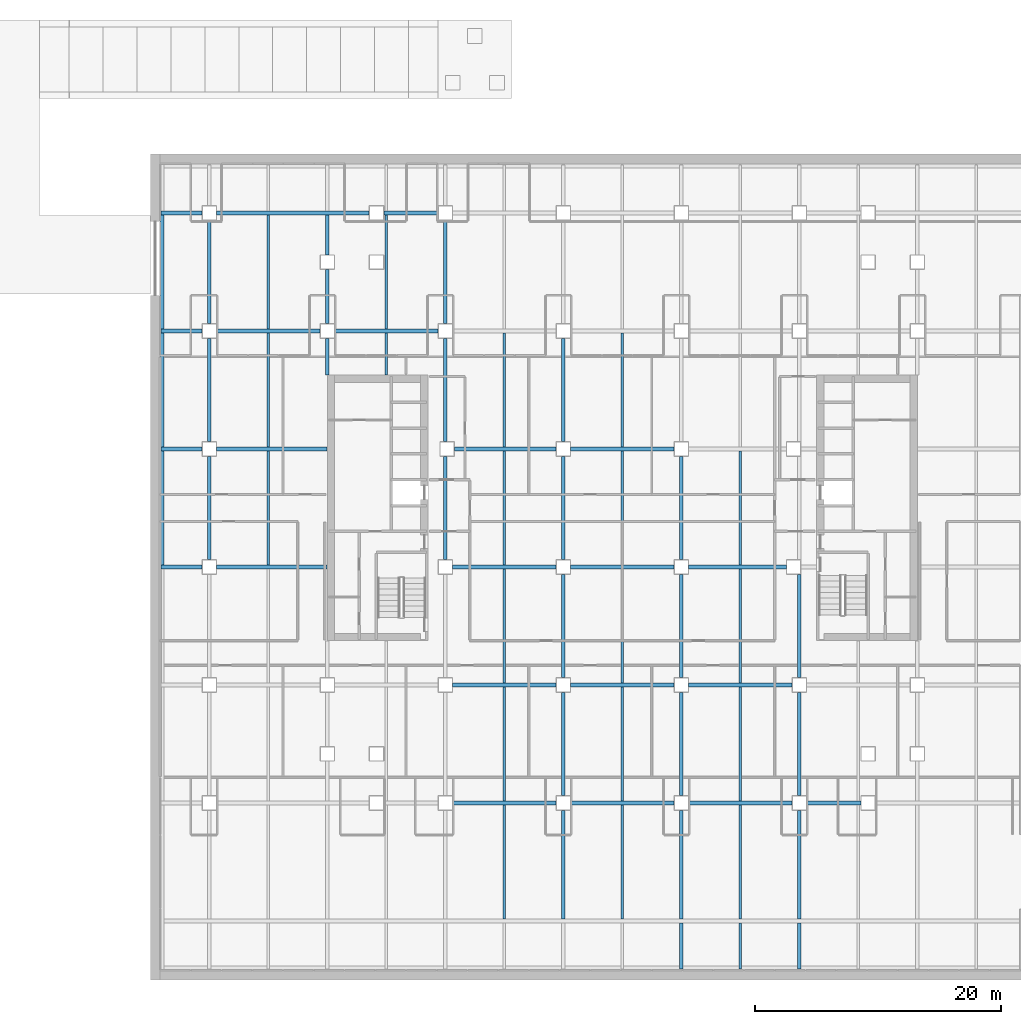
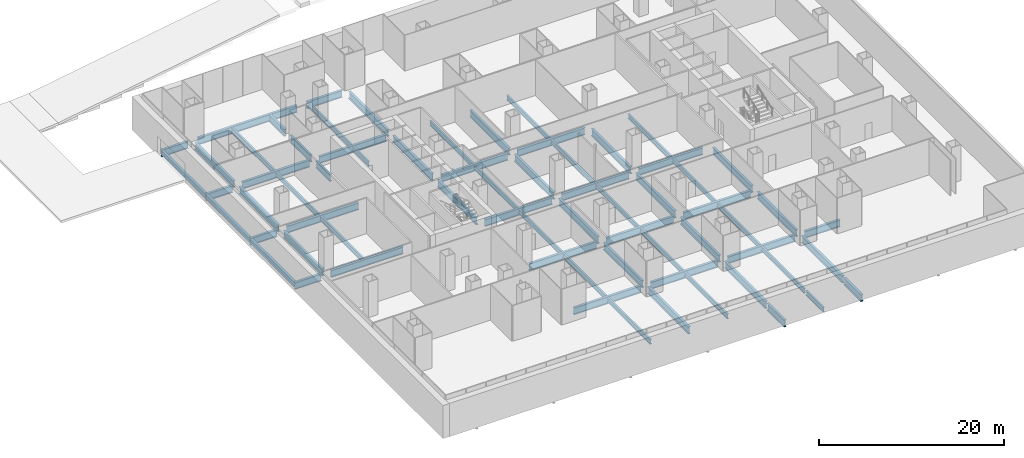
# One storey, part 2 of 11: 68 beams.
"""IFC4 building model written with IfcOpenShell, lengths in metres."""

from ifc_helpers import new_model, si_unit, direction, frame, origin, origin_2d, place, context, subcontext, project, spatial, i_section, extrude, material, material_profile, profile_set, type_object, element, save


model = new_model("IFC4")

# Units and contexts
model_context = context("Model", 3, precision=1e-05, world=origin(), true_north=direction((0.0, 1.0)))
body_context = subcontext(model_context, "Body", "Model", "MODEL_VIEW")
ifc_project = project(units=[si_unit("LENGTHUNIT", "METRE"), si_unit("AREAUNIT", "SQUARE_METRE"), si_unit("VOLUMEUNIT", "CUBIC_METRE"), si_unit("PLANEANGLEUNIT", "RADIAN"), si_unit("MASSUNIT", "GRAM", prefix="KILO")], contexts=[model_context])

# Site, building, storey
site_placement = place(None, origin())
site = spatial("IfcSite", under=ifc_project, at=site_placement, CompositionType="ELEMENT")
building_placement = place(site_placement, origin())
building = spatial("IfcBuilding", under=site, at=building_placement, Name="Cobrizo Arcos Hotel Tower", CompositionType="ELEMENT")
storey_placement = place(building_placement, frame((0.0, 0.0, -5.0)))
storey = spatial("IfcBuildingStorey", under=building, at=storey_placement, Name="B1", CompositionType="ELEMENT", Elevation=-5.0)

# Beams
ifc_material = material(Name="Steel ASTM A992 Grade 50", Category="steel")
ifc_material_profile_1 = material_profile(ifc_material, i_section(OverallWidth=0.32763671875, OverallDepth=0.622314453125, WebThickness=0.015380859375, FlangeThickness=0.0244140625, at=origin_2d()), Name="W24X131")
ifc_profile_set_1 = profile_set([ifc_material_profile_1], Name="Steel ASTM A992 Grade 50")
beam_type_1 = type_object("IfcBeamType", Name="W24X131 edge beam", PredefinedType="BEAM", material=ifc_profile_set_1)
beam_1_placement = place(storey_placement, frame((-37.436279296875, -4.800048828125, -0.611083984375), z_axis=(0.0, 1.0, 0.0), x_axis=(-1.0, 0.0, 0.0)))
element("IfcBeam", 1, at=beam_1_placement, inside=storey, type_object=beam_type_1, Name="Edge beam EB1, B1, no. 005", PredefinedType="BEAM", context=body_context, shape_type="SweptSolid", body=[
    extrude(i_section(OverallWidth=0.32763671875, OverallDepth=0.622314453125, WebThickness=0.015380859375, FlangeThickness=0.0244140625, at=origin_2d()), origin(), (0.0, 0.0, 1.0), 9.60009765625),
])
beam_2_placement = place(storey_placement, frame((-37.436279296875, 4.800048828125, -0.611083984375), z_axis=(0.0, 1.0, 0.0), x_axis=(-1.0, 0.0, 0.0)))
element("IfcBeam", 2, at=beam_2_placement, inside=storey, type_object=beam_type_1, Name="Edge beam EB1, B1, no. 006", PredefinedType="BEAM", context=body_context, shape_type="SweptSolid", body=[
    extrude(i_section(OverallWidth=0.32763671875, OverallDepth=0.622314453125, WebThickness=0.015380859375, FlangeThickness=0.0244140625, at=origin_2d()), origin(), (0.0, 0.0, 1.0), 9.599853515625),
])
beam_3_placement = place(storey_placement, frame((-37.436279296875, 14.39990234375, -0.611083984375), z_axis=(0.0, 1.0, 0.0), x_axis=(-1.0, 0.0, 0.0)))
element("IfcBeam", 3, at=beam_3_placement, inside=storey, type_object=beam_type_1, Name="Edge beam EB1, B1, no. 007", PredefinedType="BEAM", context=body_context, shape_type="SweptSolid", body=[
    extrude(i_section(OverallWidth=0.32763671875, OverallDepth=0.622314453125, WebThickness=0.015380859375, FlangeThickness=0.0244140625, at=origin_2d()), origin(), (0.0, 0.0, 1.0), 9.60009765625),
])
ifc_material_profile_2 = material_profile(ifc_material, i_section(OverallWidth=0.23046875, OverallDepth=0.6171875, WebThickness=0.01318359375, FlangeThickness=0.022216796875, at=origin_2d()), Name="W24X94")
ifc_profile_set_2 = profile_set([ifc_material_profile_2], Name="Steel ASTM A992 Grade 50")
beam_type_2 = type_object("IfcBeamType", Name="W24X94 podium joist", PredefinedType="JOIST", material=ifc_profile_set_2)
beam_4_placement = place(storey_placement, frame((-28.800048828125, -4.646240234375, -0.608642578125), z_axis=(0.0, 1.0, 0.0), x_axis=(-1.0, 0.0, 0.0)))
element("IfcBeam", 4, at=beam_4_placement, inside=storey, type_object=beam_type_2, Name="Podium joist PJ1, B1, no. 005", PredefinedType="JOIST", context=body_context, shape_type="SweptSolid", body=[
    extrude(i_section(OverallWidth=0.23046875, OverallDepth=0.6171875, WebThickness=0.01318359375, FlangeThickness=0.022216796875, at=origin_2d()), origin(), (0.0, 0.0, 1.0), 9.29248046875),
])
for number, where, z_axis, x_axis, name in (
    (5, (-28.800048828125, 4.95361328125, -0.608642578125), (0.0, 1.0, 0.0), (-1.0, 0.0, 0.0), "Podium joist PJ1, B1, no. 006"),
    (6, (-28.800048828125, 14.5537109375, -0.608642578125), (0.0, 1.0, 0.0), (-1.0, 0.0, 0.0), "Podium joist PJ1, B1, no. 007"),
):
    element("IfcBeam", number, at=place(storey_placement, frame(where, z_axis=z_axis, x_axis=x_axis)), inside=storey, type_object=beam_type_2, Name=name, PredefinedType="JOIST", context=body_context, shape_type="SweptSolid", body=[
        extrude(i_section(OverallWidth=0.23046875, OverallDepth=0.6171875, WebThickness=0.01318359375, FlangeThickness=0.022216796875, at=origin_2d()), origin(), (0.0, 0.0, 1.0), 9.292724609375),
    ])
beam_5_placement = place(storey_placement, frame((-19.199951171875, 10.81005859375, -0.608642578125), z_axis=(0.0, 1.0, 0.0), x_axis=(-1.0, 0.0, 0.0)))
element("IfcBeam", 7, at=beam_5_placement, inside=storey, type_object=beam_type_2, Name="Podium joist PJ1, B1, no. 013", PredefinedType="JOIST", context=body_context, shape_type="SweptSolid", body=[
    extrude(i_section(OverallWidth=0.23046875, OverallDepth=0.6171875, WebThickness=0.01318359375, FlangeThickness=0.022216796875, at=origin_2d()), origin(), (0.0, 0.0, 1.0), 3.436279296875),
])
for number, where, z_axis, x_axis, name in (
    (8, (-19.199951171875, 14.5537109375, -0.608642578125), (0.0, 1.0, 0.0), (-1.0, 0.0, 0.0), "Podium joist PJ1, B1, no. 014"),
    (9, (-9.60009765625, -33.4462890625, -0.608642578125), (0.0, 1.0, 0.0), (-1.0, 0.0, 0.0), "Podium joist PJ1, B1, no. 017"),
    (10, (-9.60009765625, -23.846435546875, -0.608642578125), (0.0, 1.0, 0.0), (-1.0, 0.0, 0.0), "Podium joist PJ1, B1, no. 018"),
    (11, (-9.60009765625, -14.246337890625, -0.608642578125), (0.0, 1.0, 0.0), (-1.0, 0.0, 0.0), "Podium joist PJ1, B1, no. 019"),
):
    element("IfcBeam", number, at=place(storey_placement, frame(where, z_axis=z_axis, x_axis=x_axis)), inside=storey, type_object=beam_type_2, Name=name, PredefinedType="JOIST", context=body_context, shape_type="SweptSolid", body=[
        extrude(i_section(OverallWidth=0.23046875, OverallDepth=0.6171875, WebThickness=0.01318359375, FlangeThickness=0.022216796875, at=origin_2d()), origin(), (0.0, 0.0, 1.0), 9.292724609375),
    ])
beam_6_placement = place(storey_placement, frame((-9.60009765625, -4.646240234375, -0.608642578125), z_axis=(0.0, 1.0, 0.0), x_axis=(-1.0, 0.0, 0.0)))
element("IfcBeam", 12, at=beam_6_placement, inside=storey, type_object=beam_type_2, Name="Podium joist PJ1, B1, no. 020", PredefinedType="JOIST", context=body_context, shape_type="SweptSolid", body=[
    extrude(i_section(OverallWidth=0.23046875, OverallDepth=0.6171875, WebThickness=0.01318359375, FlangeThickness=0.022216796875, at=origin_2d()), origin(), (0.0, 0.0, 1.0), 9.29248046875),
])
for number, where, z_axis, x_axis, name in (
    (13, (-9.60009765625, 4.95361328125, -0.608642578125), (0.0, 1.0, 0.0), (-1.0, 0.0, 0.0), "Podium joist PJ1, B1, no. 021"),
    (14, (0.0, -33.4462890625, -0.608642578125), (0.0, 1.0, 0.0), (-1.0, 0.0, 0.0), "Podium joist PJ1, B1, no. 025"),
    (15, (0.0, -23.846435546875, -0.608642578125), (0.0, 1.0, 0.0), (-1.0, 0.0, 0.0), "Podium joist PJ1, B1, no. 026"),
    (16, (0.0, -14.246337890625, -0.608642578125), (0.0, 1.0, 0.0), (-1.0, 0.0, 0.0), "Podium joist PJ1, B1, no. 027"),
):
    element("IfcBeam", number, at=place(storey_placement, frame(where, z_axis=z_axis, x_axis=x_axis)), inside=storey, type_object=beam_type_2, Name=name, PredefinedType="JOIST", context=body_context, shape_type="SweptSolid", body=[
        extrude(i_section(OverallWidth=0.23046875, OverallDepth=0.6171875, WebThickness=0.01318359375, FlangeThickness=0.022216796875, at=origin_2d()), origin(), (0.0, 0.0, 1.0), 9.292724609375),
    ])
beam_7_placement = place(storey_placement, frame((0.0, -4.646240234375, -0.608642578125), z_axis=(0.0, 1.0, 0.0), x_axis=(-1.0, 0.0, 0.0)))
element("IfcBeam", 17, at=beam_7_placement, inside=storey, type_object=beam_type_2, Name="Podium joist PJ1, B1, no. 028", PredefinedType="JOIST", context=body_context, shape_type="SweptSolid", body=[
    extrude(i_section(OverallWidth=0.23046875, OverallDepth=0.6171875, WebThickness=0.01318359375, FlangeThickness=0.022216796875, at=origin_2d()), origin(), (0.0, 0.0, 1.0), 9.29248046875),
])
beam_8_placement = place(storey_placement, frame((0.0, 4.95361328125, -0.608642578125), z_axis=(0.0, 1.0, 0.0), x_axis=(-1.0, 0.0, 0.0)))
element("IfcBeam", 18, at=beam_8_placement, inside=storey, type_object=beam_type_2, Name="Podium joist PJ1, B1, no. 029", PredefinedType="JOIST", context=body_context, shape_type="SweptSolid", body=[
    extrude(i_section(OverallWidth=0.23046875, OverallDepth=0.6171875, WebThickness=0.01318359375, FlangeThickness=0.022216796875, at=origin_2d()), origin(), (0.0, 0.0, 1.0), 9.292724609375),
])
beam_9_placement = place(storey_placement, frame((9.60009765625, -37.510009765625, -0.608642578125), z_axis=(0.0, 1.0, 0.0), x_axis=(-1.0, 0.0, 0.0)))
element("IfcBeam", 19, at=beam_9_placement, inside=storey, type_object=beam_type_2, Name="Podium joist PJ1, B1, no. 032", PredefinedType="JOIST", context=body_context, shape_type="SweptSolid", body=[
    extrude(i_section(OverallWidth=0.23046875, OverallDepth=0.6171875, WebThickness=0.01318359375, FlangeThickness=0.022216796875, at=origin_2d()), origin(), (0.0, 0.0, 1.0), 3.75634765625),
])
for number, where, z_axis, x_axis, name in (
    (20, (9.60009765625, -33.4462890625, -0.608642578125), (0.0, 1.0, 0.0), (-1.0, 0.0, 0.0), "Podium joist PJ1, B1, no. 033"),
    (21, (9.60009765625, -23.846435546875, -0.608642578125), (0.0, 1.0, 0.0), (-1.0, 0.0, 0.0), "Podium joist PJ1, B1, no. 034"),
    (22, (9.60009765625, -14.246337890625, -0.608642578125), (0.0, 1.0, 0.0), (-1.0, 0.0, 0.0), "Podium joist PJ1, B1, no. 035"),
):
    element("IfcBeam", number, at=place(storey_placement, frame(where, z_axis=z_axis, x_axis=x_axis)), inside=storey, type_object=beam_type_2, Name=name, PredefinedType="JOIST", context=body_context, shape_type="SweptSolid", body=[
        extrude(i_section(OverallWidth=0.23046875, OverallDepth=0.6171875, WebThickness=0.01318359375, FlangeThickness=0.022216796875, at=origin_2d()), origin(), (0.0, 0.0, 1.0), 9.292724609375),
    ])
beam_10_placement = place(storey_placement, frame((9.60009765625, -4.646240234375, -0.608642578125), z_axis=(0.0, 1.0, 0.0), x_axis=(-1.0, 0.0, 0.0)))
element("IfcBeam", 23, at=beam_10_placement, inside=storey, type_object=beam_type_2, Name="Podium joist PJ1, B1, no. 036", PredefinedType="JOIST", context=body_context, shape_type="SweptSolid", body=[
    extrude(i_section(OverallWidth=0.23046875, OverallDepth=0.6171875, WebThickness=0.01318359375, FlangeThickness=0.022216796875, at=origin_2d()), origin(), (0.0, 0.0, 1.0), 9.29248046875),
])
ifc_material_profile_3 = material_profile(ifc_material, i_section(OverallWidth=0.307373046875, OverallDepth=0.927001953125, WebThickness=0.01953125, FlangeThickness=0.031982421875, at=origin_2d()), Name="W36X194")
ifc_profile_set_3 = profile_set([ifc_material_profile_3], Name="Steel ASTM A992 Grade 50")
beam_type_3 = type_object("IfcBeamType", Name="W36X194 podium girder", PredefinedType="BEAM", material=ifc_profile_set_3)
beam_11_placement = place(storey_placement, frame((-13.800048828125, -24.0, -0.763427734375), z_axis=(1.0, 0.0, 0.0), x_axis=(0.0, 1.0, 0.0)))
element("IfcBeam", 24, at=beam_11_placement, inside=storey, type_object=beam_type_3, Name="Podium girder PG1, B1, no. 005", PredefinedType="BEAM", context=body_context, shape_type="SweptSolid", body=[
    extrude(i_section(OverallWidth=0.307373046875, OverallDepth=0.927001953125, WebThickness=0.01953125, FlangeThickness=0.031982421875, at=origin_2d()), origin(), (0.0, 0.0, 1.0), 8.400146484375),
])
beam_12_placement = place(storey_placement, frame((-4.199951171875, -24.0, -0.763427734375), z_axis=(1.0, 0.0, 0.0), x_axis=(0.0, 1.0, 0.0)))
element("IfcBeam", 25, at=beam_12_placement, inside=storey, type_object=beam_type_3, Name="Podium girder PG1, B1, no. 006", PredefinedType="BEAM", context=body_context, shape_type="SweptSolid", body=[
    extrude(i_section(OverallWidth=0.307373046875, OverallDepth=0.927001953125, WebThickness=0.01953125, FlangeThickness=0.031982421875, at=origin_2d()), origin(), (0.0, 0.0, 1.0), 8.39990234375),
])
beam_13_placement = place(storey_placement, frame((5.39990234375, -24.0, -0.763427734375), z_axis=(1.0, 0.0, 0.0), x_axis=(0.0, 1.0, 0.0)))
element("IfcBeam", 26, at=beam_13_placement, inside=storey, type_object=beam_type_3, Name="Podium girder PG1, B1, no. 007", PredefinedType="BEAM", context=body_context, shape_type="SweptSolid", body=[
    extrude(i_section(OverallWidth=0.307373046875, OverallDepth=0.927001953125, WebThickness=0.01953125, FlangeThickness=0.031982421875, at=origin_2d()), origin(), (0.0, 0.0, 1.0), 8.400146484375),
])
beam_14_placement = place(storey_placement, frame((15.0, -24.0, -0.763427734375), z_axis=(1.0, 0.0, 0.0), x_axis=(0.0, 1.0, 0.0)))
element("IfcBeam", 27, at=beam_14_placement, inside=storey, type_object=beam_type_3, Name="Podium girder PG1, B1, no. 008", PredefinedType="BEAM", context=body_context, shape_type="SweptSolid", body=[
    extrude(i_section(OverallWidth=0.307373046875, OverallDepth=0.927001953125, WebThickness=0.01953125, FlangeThickness=0.031982421875, at=origin_2d()), origin(), (0.0, 0.0, 1.0), 4.39990234375),
])
beam_15_placement = place(storey_placement, frame((-13.800048828125, -14.39990234375, -0.763427734375), z_axis=(1.0, 0.0, 0.0), x_axis=(0.0, 1.0, 0.0)))
element("IfcBeam", 28, at=beam_15_placement, inside=storey, type_object=beam_type_3, Name="Podium girder PG1, B1, no. 014", PredefinedType="BEAM", context=body_context, shape_type="SweptSolid", body=[
    extrude(i_section(OverallWidth=0.307373046875, OverallDepth=0.927001953125, WebThickness=0.01953125, FlangeThickness=0.031982421875, at=origin_2d()), origin(), (0.0, 0.0, 1.0), 8.400146484375),
])
beam_16_placement = place(storey_placement, frame((-4.199951171875, -14.39990234375, -0.763427734375), z_axis=(1.0, 0.0, 0.0), x_axis=(0.0, 1.0, 0.0)))
element("IfcBeam", 29, at=beam_16_placement, inside=storey, type_object=beam_type_3, Name="Podium girder PG1, B1, no. 015", PredefinedType="BEAM", context=body_context, shape_type="SweptSolid", body=[
    extrude(i_section(OverallWidth=0.307373046875, OverallDepth=0.927001953125, WebThickness=0.01953125, FlangeThickness=0.031982421875, at=origin_2d()), origin(), (0.0, 0.0, 1.0), 8.39990234375),
])
beam_17_placement = place(storey_placement, frame((5.39990234375, -14.39990234375, -0.763427734375), z_axis=(1.0, 0.0, 0.0), x_axis=(0.0, 1.0, 0.0)))
element("IfcBeam", 30, at=beam_17_placement, inside=storey, type_object=beam_type_3, Name="Podium girder PG1, B1, no. 016", PredefinedType="BEAM", context=body_context, shape_type="SweptSolid", body=[
    extrude(i_section(OverallWidth=0.307373046875, OverallDepth=0.927001953125, WebThickness=0.01953125, FlangeThickness=0.031982421875, at=origin_2d()), origin(), (0.0, 0.0, 1.0), 8.400146484375),
])
beam_18_placement = place(storey_placement, frame((-37.510009765625, -4.800048828125, -0.763427734375), z_axis=(1.0, 0.0, 0.0), x_axis=(0.0, 1.0, 0.0)))
element("IfcBeam", 31, at=beam_18_placement, inside=storey, type_object=beam_type_3, Name="Podium girder PG1, B1, no. 020", PredefinedType="BEAM", context=body_context, shape_type="SweptSolid", body=[
    extrude(i_section(OverallWidth=0.307373046875, OverallDepth=0.927001953125, WebThickness=0.01953125, FlangeThickness=0.031982421875, at=origin_2d()), origin(), (0.0, 0.0, 1.0), 3.31005859375),
])
beam_19_placement = place(storey_placement, frame((-33.0, -4.800048828125, -0.763427734375), z_axis=(1.0, 0.0, 0.0), x_axis=(0.0, 1.0, 0.0)))
element("IfcBeam", 32, at=beam_19_placement, inside=storey, type_object=beam_type_3, Name="Podium girder PG1, B1, no. 021", PredefinedType="BEAM", context=body_context, shape_type="SweptSolid", body=[
    extrude(i_section(OverallWidth=0.307373046875, OverallDepth=0.927001953125, WebThickness=0.01953125, FlangeThickness=0.031982421875, at=origin_2d()), origin(), (0.0, 0.0, 1.0), 8.989990234375),
])
beam_20_placement = place(storey_placement, frame((-13.800048828125, -4.800048828125, -0.763427734375), z_axis=(1.0, 0.0, 0.0), x_axis=(0.0, 1.0, 0.0)))
element("IfcBeam", 33, at=beam_20_placement, inside=storey, type_object=beam_type_3, Name="Podium girder PG1, B1, no. 022", PredefinedType="BEAM", context=body_context, shape_type="SweptSolid", body=[
    extrude(i_section(OverallWidth=0.307373046875, OverallDepth=0.927001953125, WebThickness=0.01953125, FlangeThickness=0.031982421875, at=origin_2d()), origin(), (0.0, 0.0, 1.0), 8.400146484375),
])
beam_21_placement = place(storey_placement, frame((-4.199951171875, -4.800048828125, -0.763427734375), z_axis=(1.0, 0.0, 0.0), x_axis=(0.0, 1.0, 0.0)))
element("IfcBeam", 34, at=beam_21_placement, inside=storey, type_object=beam_type_3, Name="Podium girder PG1, B1, no. 023", PredefinedType="BEAM", context=body_context, shape_type="SweptSolid", body=[
    extrude(i_section(OverallWidth=0.307373046875, OverallDepth=0.927001953125, WebThickness=0.01953125, FlangeThickness=0.031982421875, at=origin_2d()), origin(), (0.0, 0.0, 1.0), 8.39990234375),
])
beam_22_placement = place(storey_placement, frame((5.39990234375, -4.800048828125, -0.763427734375), z_axis=(1.0, 0.0, 0.0), x_axis=(0.0, 1.0, 0.0)))
element("IfcBeam", 35, at=beam_22_placement, inside=storey, type_object=beam_type_3, Name="Podium girder PG1, B1, no. 024", PredefinedType="BEAM", context=body_context, shape_type="SweptSolid", body=[
    extrude(i_section(OverallWidth=0.307373046875, OverallDepth=0.927001953125, WebThickness=0.01953125, FlangeThickness=0.031982421875, at=origin_2d()), origin(), (0.0, 0.0, 1.0), 7.940185546875),
])
beam_23_placement = place(storey_placement, frame((-37.510009765625, 4.800048828125, -0.763427734375), z_axis=(1.0, 0.0, 0.0), x_axis=(0.0, 1.0, 0.0)))
element("IfcBeam", 36, at=beam_23_placement, inside=storey, type_object=beam_type_3, Name="Podium girder PG1, B1, no. 028", PredefinedType="BEAM", context=body_context, shape_type="SweptSolid", body=[
    extrude(i_section(OverallWidth=0.307373046875, OverallDepth=0.927001953125, WebThickness=0.01953125, FlangeThickness=0.031982421875, at=origin_2d()), origin(), (0.0, 0.0, 1.0), 3.31005859375),
])
beam_24_placement = place(storey_placement, frame((-33.0, 4.800048828125, -0.763427734375), z_axis=(1.0, 0.0, 0.0), x_axis=(0.0, 1.0, 0.0)))
element("IfcBeam", 37, at=beam_24_placement, inside=storey, type_object=beam_type_3, Name="Podium girder PG1, B1, no. 029", PredefinedType="BEAM", context=body_context, shape_type="SweptSolid", body=[
    extrude(i_section(OverallWidth=0.307373046875, OverallDepth=0.927001953125, WebThickness=0.01953125, FlangeThickness=0.031982421875, at=origin_2d()), origin(), (0.0, 0.0, 1.0), 8.989990234375),
])
beam_25_placement = place(storey_placement, frame((-13.64990234375, 4.800048828125, -0.763427734375), z_axis=(1.0, 0.0, 0.0), x_axis=(0.0, 1.0, 0.0)))
element("IfcBeam", 38, at=beam_25_placement, inside=storey, type_object=beam_type_3, Name="Podium girder PG1, B1, no. 030", PredefinedType="BEAM", context=body_context, shape_type="SweptSolid", body=[
    extrude(i_section(OverallWidth=0.307373046875, OverallDepth=0.927001953125, WebThickness=0.01953125, FlangeThickness=0.031982421875, at=origin_2d()), origin(), (0.0, 0.0, 1.0), 8.25),
])
beam_26_placement = place(storey_placement, frame((-4.199951171875, 4.800048828125, -0.763427734375), z_axis=(1.0, 0.0, 0.0), x_axis=(0.0, 1.0, 0.0)))
element("IfcBeam", 39, at=beam_26_placement, inside=storey, type_object=beam_type_3, Name="Podium girder PG1, B1, no. 031", PredefinedType="BEAM", context=body_context, shape_type="SweptSolid", body=[
    extrude(i_section(OverallWidth=0.307373046875, OverallDepth=0.927001953125, WebThickness=0.01953125, FlangeThickness=0.031982421875, at=origin_2d()), origin(), (0.0, 0.0, 1.0), 8.39990234375),
])
beam_27_placement = place(storey_placement, frame((-37.510009765625, 14.39990234375, -0.763427734375), z_axis=(1.0, 0.0, 0.0), x_axis=(0.0, 1.0, 0.0)))
element("IfcBeam", 40, at=beam_27_placement, inside=storey, type_object=beam_type_3, Name="Podium girder PG1, B1, no. 036", PredefinedType="BEAM", context=body_context, shape_type="SweptSolid", body=[
    extrude(i_section(OverallWidth=0.307373046875, OverallDepth=0.927001953125, WebThickness=0.01953125, FlangeThickness=0.031982421875, at=origin_2d()), origin(), (0.0, 0.0, 1.0), 3.31005859375),
])
for number, where, z_axis, x_axis, name in (
    (41, (-33.0, 14.39990234375, -0.763427734375), (1.0, 0.0, 0.0), (0.0, 1.0, 0.0), "Podium girder PG1, B1, no. 037"),
    (42, (-23.39990234375, 14.39990234375, -0.763427734375), (1.0, 0.0, 0.0), (0.0, 1.0, 0.0), "Podium girder PG1, B1, no. 038"),
):
    element("IfcBeam", number, at=place(storey_placement, frame(where, z_axis=z_axis, x_axis=x_axis)), inside=storey, type_object=beam_type_3, Name=name, PredefinedType="BEAM", context=body_context, shape_type="SweptSolid", body=[
        extrude(i_section(OverallWidth=0.307373046875, OverallDepth=0.927001953125, WebThickness=0.01953125, FlangeThickness=0.031982421875, at=origin_2d()), origin(), (0.0, 0.0, 1.0), 8.39990234375),
    ])
beam_28_placement = place(storey_placement, frame((-37.510009765625, 24.0, -0.763427734375), z_axis=(1.0, 0.0, 0.0), x_axis=(0.0, 1.0, 0.0)))
element("IfcBeam", 43, at=beam_28_placement, inside=storey, type_object=beam_type_3, Name="Podium girder PG1, B1, no. 045", PredefinedType="BEAM", context=body_context, shape_type="SweptSolid", body=[
    extrude(i_section(OverallWidth=0.307373046875, OverallDepth=0.927001953125, WebThickness=0.01953125, FlangeThickness=0.031982421875, at=origin_2d()), origin(), (0.0, 0.0, 1.0), 3.31005859375),
])
beam_29_placement = place(storey_placement, frame((-33.0, 24.0, -0.763427734375), z_axis=(1.0, 0.0, 0.0), x_axis=(0.0, 1.0, 0.0)))
element("IfcBeam", 44, at=beam_29_placement, inside=storey, type_object=beam_type_3, Name="Podium girder PG1, B1, no. 046", PredefinedType="BEAM", context=body_context, shape_type="SweptSolid", body=[
    extrude(i_section(OverallWidth=0.307373046875, OverallDepth=0.927001953125, WebThickness=0.01953125, FlangeThickness=0.031982421875, at=origin_2d()), origin(), (0.0, 0.0, 1.0), 12.39990234375),
])
beam_30_placement = place(storey_placement, frame((-19.39990234375, 24.0, -0.763427734375), z_axis=(1.0, 0.0, 0.0), x_axis=(0.0, 1.0, 0.0)))
element("IfcBeam", 45, at=beam_30_placement, inside=storey, type_object=beam_type_3, Name="Podium girder PG1, B1, no. 047", PredefinedType="BEAM", context=body_context, shape_type="SweptSolid", body=[
    extrude(i_section(OverallWidth=0.307373046875, OverallDepth=0.927001953125, WebThickness=0.01953125, FlangeThickness=0.031982421875, at=origin_2d()), origin(), (0.0, 0.0, 1.0), 4.39990234375),
])
beam_31_placement = place(storey_placement, frame((-33.60009765625, -4.199951171875, -0.763427734375), z_axis=(0.0, 1.0, 0.0), x_axis=(-1.0, 0.0, 0.0)))
element("IfcBeam", 46, at=beam_31_placement, inside=storey, type_object=beam_type_3, Name="Podium girder PG1, B1, no. 058", PredefinedType="BEAM", context=body_context, shape_type="SweptSolid", body=[
    extrude(i_section(OverallWidth=0.307373046875, OverallDepth=0.927001953125, WebThickness=0.01953125, FlangeThickness=0.031982421875, at=origin_2d()), origin(), (0.0, 0.0, 1.0), 8.39990234375),
])
beam_32_placement = place(storey_placement, frame((-33.60009765625, 5.39990234375, -0.763427734375), z_axis=(0.0, 1.0, 0.0), x_axis=(-1.0, 0.0, 0.0)))
element("IfcBeam", 47, at=beam_32_placement, inside=storey, type_object=beam_type_3, Name="Podium girder PG1, B1, no. 059", PredefinedType="BEAM", context=body_context, shape_type="SweptSolid", body=[
    extrude(i_section(OverallWidth=0.307373046875, OverallDepth=0.927001953125, WebThickness=0.01953125, FlangeThickness=0.031982421875, at=origin_2d()), origin(), (0.0, 0.0, 1.0), 8.400146484375),
])
beam_33_placement = place(storey_placement, frame((-33.60009765625, 15.0, -0.763427734375), z_axis=(0.0, 1.0, 0.0), x_axis=(-1.0, 0.0, 0.0)))
element("IfcBeam", 48, at=beam_33_placement, inside=storey, type_object=beam_type_3, Name="Podium girder PG1, B1, no. 060", PredefinedType="BEAM", context=body_context, shape_type="SweptSolid", body=[
    extrude(i_section(OverallWidth=0.307373046875, OverallDepth=0.927001953125, WebThickness=0.01953125, FlangeThickness=0.031982421875, at=origin_2d()), origin(), (0.0, 0.0, 1.0), 8.39990234375),
])
beam_34_placement = place(storey_placement, frame((-24.0, 10.81005859375, -0.763427734375), z_axis=(0.0, 1.0, 0.0), x_axis=(-1.0, 0.0, 0.0)))
element("IfcBeam", 49, at=beam_34_placement, inside=storey, type_object=beam_type_3, Name="Podium girder PG1, B1, no. 067", PredefinedType="BEAM", context=body_context, shape_type="SweptSolid", body=[
    extrude(i_section(OverallWidth=0.307373046875, OverallDepth=0.927001953125, WebThickness=0.01953125, FlangeThickness=0.031982421875, at=origin_2d()), origin(), (0.0, 0.0, 1.0), 2.989990234375),
])
beam_35_placement = place(storey_placement, frame((-24.0, 15.0, -0.763427734375), z_axis=(0.0, 1.0, 0.0), x_axis=(-1.0, 0.0, 0.0)))
element("IfcBeam", 50, at=beam_35_placement, inside=storey, type_object=beam_type_3, Name="Podium girder PG1, B1, no. 068", PredefinedType="BEAM", context=body_context, shape_type="SweptSolid", body=[
    extrude(i_section(OverallWidth=0.307373046875, OverallDepth=0.927001953125, WebThickness=0.01953125, FlangeThickness=0.031982421875, at=origin_2d()), origin(), (0.0, 0.0, 1.0), 4.39990234375),
])
beam_36_placement = place(storey_placement, frame((-24.0, 20.60009765625, -0.763427734375), z_axis=(0.0, 1.0, 0.0), x_axis=(-1.0, 0.0, 0.0)))
element("IfcBeam", 51, at=beam_36_placement, inside=storey, type_object=beam_type_3, Name="Podium girder PG1, B1, no. 069", PredefinedType="BEAM", context=body_context, shape_type="SweptSolid", body=[
    extrude(i_section(OverallWidth=0.307373046875, OverallDepth=0.927001953125, WebThickness=0.01953125, FlangeThickness=0.031982421875, at=origin_2d()), origin(), (0.0, 0.0, 1.0), 3.246337890625),
])
beam_37_placement = place(storey_placement, frame((-14.39990234375, -4.199951171875, -0.763427734375), z_axis=(0.0, 1.0, 0.0), x_axis=(-1.0, 0.0, 0.0)))
element("IfcBeam", 52, at=beam_37_placement, inside=storey, type_object=beam_type_3, Name="Podium girder PG1, B1, no. 075", PredefinedType="BEAM", context=body_context, shape_type="SweptSolid", body=[
    extrude(i_section(OverallWidth=0.307373046875, OverallDepth=0.927001953125, WebThickness=0.01953125, FlangeThickness=0.031982421875, at=origin_2d()), origin(), (0.0, 0.0, 1.0), 8.39990234375),
])
beam_38_placement = place(storey_placement, frame((-14.39990234375, 5.39990234375, -0.763427734375), z_axis=(0.0, 1.0, 0.0), x_axis=(-1.0, 0.0, 0.0)))
element("IfcBeam", 53, at=beam_38_placement, inside=storey, type_object=beam_type_3, Name="Podium girder PG1, B1, no. 076", PredefinedType="BEAM", context=body_context, shape_type="SweptSolid", body=[
    extrude(i_section(OverallWidth=0.307373046875, OverallDepth=0.927001953125, WebThickness=0.01953125, FlangeThickness=0.031982421875, at=origin_2d()), origin(), (0.0, 0.0, 1.0), 8.400146484375),
])
beam_39_placement = place(storey_placement, frame((-14.39990234375, 15.0, -0.763427734375), z_axis=(0.0, 1.0, 0.0), x_axis=(-1.0, 0.0, 0.0)))
element("IfcBeam", 54, at=beam_39_placement, inside=storey, type_object=beam_type_3, Name="Podium girder PG1, B1, no. 077", PredefinedType="BEAM", context=body_context, shape_type="SweptSolid", body=[
    extrude(i_section(OverallWidth=0.307373046875, OverallDepth=0.927001953125, WebThickness=0.01953125, FlangeThickness=0.031982421875, at=origin_2d()), origin(), (0.0, 0.0, 1.0), 8.39990234375),
])
beam_40_placement = place(storey_placement, frame((-4.800048828125, -33.4462890625, -0.763427734375), z_axis=(0.0, 1.0, 0.0), x_axis=(-1.0, 0.0, 0.0)))
element("IfcBeam", 55, at=beam_40_placement, inside=storey, type_object=beam_type_3, Name="Podium girder PG1, B1, no. 080", PredefinedType="BEAM", context=body_context, shape_type="SweptSolid", body=[
    extrude(i_section(OverallWidth=0.307373046875, OverallDepth=0.927001953125, WebThickness=0.01953125, FlangeThickness=0.031982421875, at=origin_2d()), origin(), (0.0, 0.0, 1.0), 8.84619140625),
])
beam_41_placement = place(storey_placement, frame((-4.800048828125, -23.39990234375, -0.763427734375), z_axis=(0.0, 1.0, 0.0), x_axis=(-1.0, 0.0, 0.0)))
element("IfcBeam", 56, at=beam_41_placement, inside=storey, type_object=beam_type_3, Name="Podium girder PG1, B1, no. 081", PredefinedType="BEAM", context=body_context, shape_type="SweptSolid", body=[
    extrude(i_section(OverallWidth=0.307373046875, OverallDepth=0.927001953125, WebThickness=0.01953125, FlangeThickness=0.031982421875, at=origin_2d()), origin(), (0.0, 0.0, 1.0), 8.39990234375),
])
beam_42_placement = place(storey_placement, frame((-4.800048828125, -13.800048828125, -0.763427734375), z_axis=(0.0, 1.0, 0.0), x_axis=(-1.0, 0.0, 0.0)))
element("IfcBeam", 57, at=beam_42_placement, inside=storey, type_object=beam_type_3, Name="Podium girder PG1, B1, no. 082", PredefinedType="BEAM", context=body_context, shape_type="SweptSolid", body=[
    extrude(i_section(OverallWidth=0.307373046875, OverallDepth=0.927001953125, WebThickness=0.01953125, FlangeThickness=0.031982421875, at=origin_2d()), origin(), (0.0, 0.0, 1.0), 8.400146484375),
])
beam_43_placement = place(storey_placement, frame((-4.800048828125, -4.199951171875, -0.763427734375), z_axis=(0.0, 1.0, 0.0), x_axis=(-1.0, 0.0, 0.0)))
element("IfcBeam", 58, at=beam_43_placement, inside=storey, type_object=beam_type_3, Name="Podium girder PG1, B1, no. 083", PredefinedType="BEAM", context=body_context, shape_type="SweptSolid", body=[
    extrude(i_section(OverallWidth=0.307373046875, OverallDepth=0.927001953125, WebThickness=0.01953125, FlangeThickness=0.031982421875, at=origin_2d()), origin(), (0.0, 0.0, 1.0), 8.39990234375),
])
beam_44_placement = place(storey_placement, frame((-4.800048828125, 5.39990234375, -0.763427734375), z_axis=(0.0, 1.0, 0.0), x_axis=(-1.0, 0.0, 0.0)))
element("IfcBeam", 59, at=beam_44_placement, inside=storey, type_object=beam_type_3, Name="Podium girder PG1, B1, no. 084", PredefinedType="BEAM", context=body_context, shape_type="SweptSolid", body=[
    extrude(i_section(OverallWidth=0.307373046875, OverallDepth=0.927001953125, WebThickness=0.01953125, FlangeThickness=0.031982421875, at=origin_2d()), origin(), (0.0, 0.0, 1.0), 8.400146484375),
])
beam_45_placement = place(storey_placement, frame((4.800048828125, -37.510009765625, -0.763427734375), z_axis=(0.0, 1.0, 0.0), x_axis=(-1.0, 0.0, 0.0)))
element("IfcBeam", 60, at=beam_45_placement, inside=storey, type_object=beam_type_3, Name="Podium girder PG1, B1, no. 087", PredefinedType="BEAM", context=body_context, shape_type="SweptSolid", body=[
    extrude(i_section(OverallWidth=0.307373046875, OverallDepth=0.927001953125, WebThickness=0.01953125, FlangeThickness=0.031982421875, at=origin_2d()), origin(), (0.0, 0.0, 1.0), 3.75634765625),
])
beam_46_placement = place(storey_placement, frame((4.800048828125, -33.4462890625, -0.763427734375), z_axis=(0.0, 1.0, 0.0), x_axis=(-1.0, 0.0, 0.0)))
element("IfcBeam", 61, at=beam_46_placement, inside=storey, type_object=beam_type_3, Name="Podium girder PG1, B1, no. 088", PredefinedType="BEAM", context=body_context, shape_type="SweptSolid", body=[
    extrude(i_section(OverallWidth=0.307373046875, OverallDepth=0.927001953125, WebThickness=0.01953125, FlangeThickness=0.031982421875, at=origin_2d()), origin(), (0.0, 0.0, 1.0), 8.84619140625),
])
beam_47_placement = place(storey_placement, frame((4.800048828125, -23.39990234375, -0.763427734375), z_axis=(0.0, 1.0, 0.0), x_axis=(-1.0, 0.0, 0.0)))
element("IfcBeam", 62, at=beam_47_placement, inside=storey, type_object=beam_type_3, Name="Podium girder PG1, B1, no. 089", PredefinedType="BEAM", context=body_context, shape_type="SweptSolid", body=[
    extrude(i_section(OverallWidth=0.307373046875, OverallDepth=0.927001953125, WebThickness=0.01953125, FlangeThickness=0.031982421875, at=origin_2d()), origin(), (0.0, 0.0, 1.0), 8.39990234375),
])
beam_48_placement = place(storey_placement, frame((4.800048828125, -13.800048828125, -0.763427734375), z_axis=(0.0, 1.0, 0.0), x_axis=(-1.0, 0.0, 0.0)))
element("IfcBeam", 63, at=beam_48_placement, inside=storey, type_object=beam_type_3, Name="Podium girder PG1, B1, no. 090", PredefinedType="BEAM", context=body_context, shape_type="SweptSolid", body=[
    extrude(i_section(OverallWidth=0.307373046875, OverallDepth=0.927001953125, WebThickness=0.01953125, FlangeThickness=0.031982421875, at=origin_2d()), origin(), (0.0, 0.0, 1.0), 8.400146484375),
])
beam_49_placement = place(storey_placement, frame((4.800048828125, -4.199951171875, -0.763427734375), z_axis=(0.0, 1.0, 0.0), x_axis=(-1.0, 0.0, 0.0)))
element("IfcBeam", 64, at=beam_49_placement, inside=storey, type_object=beam_type_3, Name="Podium girder PG1, B1, no. 091", PredefinedType="BEAM", context=body_context, shape_type="SweptSolid", body=[
    extrude(i_section(OverallWidth=0.307373046875, OverallDepth=0.927001953125, WebThickness=0.01953125, FlangeThickness=0.031982421875, at=origin_2d()), origin(), (0.0, 0.0, 1.0), 8.39990234375),
])
beam_50_placement = place(storey_placement, frame((14.39990234375, -37.510009765625, -0.763427734375), z_axis=(0.0, 1.0, 0.0), x_axis=(-1.0, 0.0, 0.0)))
element("IfcBeam", 65, at=beam_50_placement, inside=storey, type_object=beam_type_3, Name="Podium girder PG1, B1, no. 095", PredefinedType="BEAM", context=body_context, shape_type="SweptSolid", body=[
    extrude(i_section(OverallWidth=0.307373046875, OverallDepth=0.927001953125, WebThickness=0.01953125, FlangeThickness=0.031982421875, at=origin_2d()), origin(), (0.0, 0.0, 1.0), 3.75634765625),
])
beam_51_placement = place(storey_placement, frame((14.39990234375, -33.4462890625, -0.763427734375), z_axis=(0.0, 1.0, 0.0), x_axis=(-1.0, 0.0, 0.0)))
element("IfcBeam", 66, at=beam_51_placement, inside=storey, type_object=beam_type_3, Name="Podium girder PG1, B1, no. 096", PredefinedType="BEAM", context=body_context, shape_type="SweptSolid", body=[
    extrude(i_section(OverallWidth=0.307373046875, OverallDepth=0.927001953125, WebThickness=0.01953125, FlangeThickness=0.031982421875, at=origin_2d()), origin(), (0.0, 0.0, 1.0), 8.84619140625),
])
beam_52_placement = place(storey_placement, frame((14.39990234375, -23.39990234375, -0.763427734375), z_axis=(0.0, 1.0, 0.0), x_axis=(-1.0, 0.0, 0.0)))
element("IfcBeam", 67, at=beam_52_placement, inside=storey, type_object=beam_type_3, Name="Podium girder PG1, B1, no. 097", PredefinedType="BEAM", context=body_context, shape_type="SweptSolid", body=[
    extrude(i_section(OverallWidth=0.307373046875, OverallDepth=0.927001953125, WebThickness=0.01953125, FlangeThickness=0.031982421875, at=origin_2d()), origin(), (0.0, 0.0, 1.0), 8.39990234375),
])
beam_53_placement = place(storey_placement, frame((14.39990234375, -13.800048828125, -0.763427734375), z_axis=(0.0, 1.0, 0.0), x_axis=(-1.0, 0.0, 0.0)))
element("IfcBeam", 68, at=beam_53_placement, inside=storey, type_object=beam_type_3, Name="Podium girder PG1, B1, no. 098", PredefinedType="BEAM", context=body_context, shape_type="SweptSolid", body=[
    extrude(i_section(OverallWidth=0.307373046875, OverallDepth=0.927001953125, WebThickness=0.01953125, FlangeThickness=0.031982421875, at=origin_2d()), origin(), (0.0, 0.0, 1.0), 8.400146484375),
])

save(model, "model.ifc")
